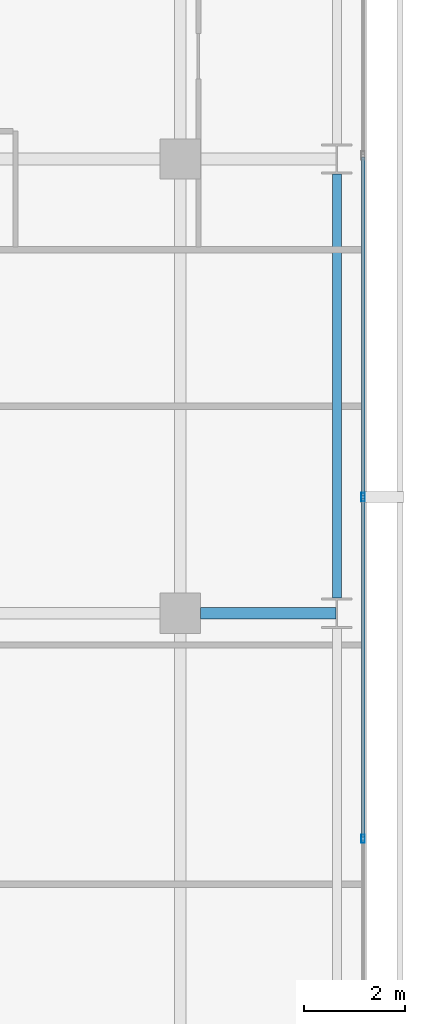
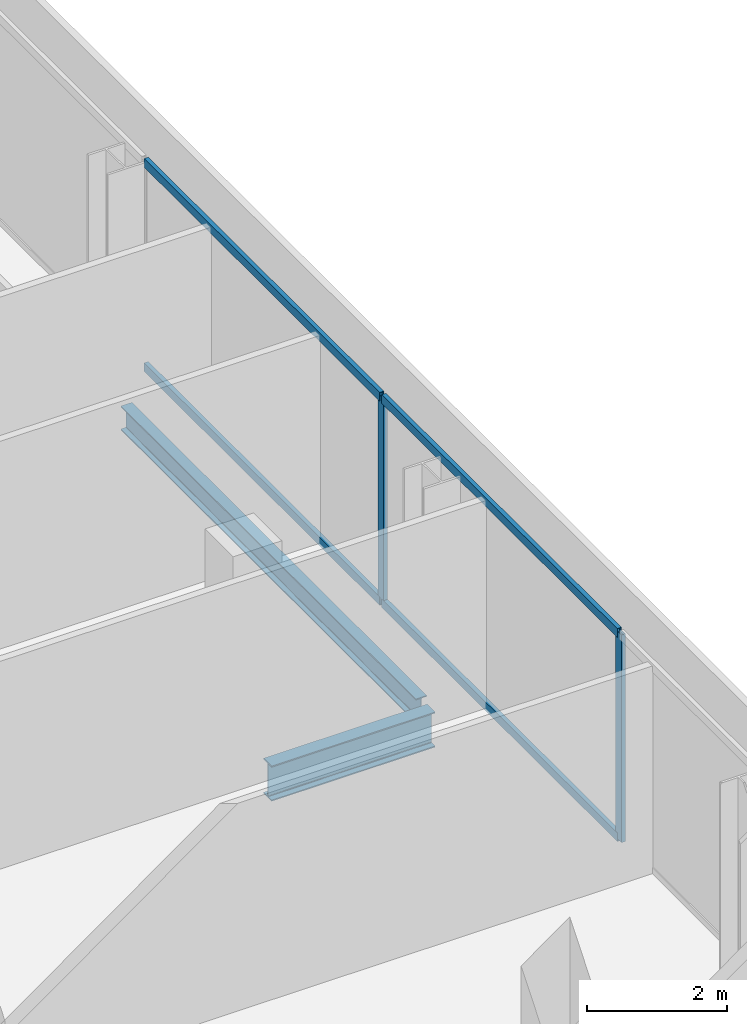
# One storey, part 17 of 34: 6 members, 2 beams, 1 element without a shape of its own.
"""IFC4 building model written with IfcOpenShell, lengths in metres."""

from ifc_helpers import new_model, si_unit, direction, frame, origin, origin_2d, place, context, subcontext, project, spatial, hollow_rectangle, i_section, extrude, material, layer, layer_set, material_profile, profile_set, type_object, element, aggregate, save


model = new_model("IFC4")

# Units and contexts
model_context = context("Model", 3, precision=1e-05, world=origin(), true_north=direction((0.0, 1.0)))
body_context = subcontext(model_context, "Body", "Model", "MODEL_VIEW")
ifc_project = project(units=[si_unit("LENGTHUNIT", "METRE"), si_unit("AREAUNIT", "SQUARE_METRE"), si_unit("VOLUMEUNIT", "CUBIC_METRE"), si_unit("PLANEANGLEUNIT", "RADIAN"), si_unit("MASSUNIT", "GRAM", prefix="KILO")], contexts=[model_context])

# Site, building, storey
site_placement = place(None, origin())
site = spatial("IfcSite", under=ifc_project, at=site_placement, CompositionType="ELEMENT")
building_placement = place(site_placement, origin())
building = spatial("IfcBuilding", under=site, at=building_placement, Name="Maruvema Waterfront Hotel and Observation Tower", CompositionType="ELEMENT")
storey_placement = place(building_placement, frame((0.0, 0.0, 146.64990234375)))
storey = spatial("IfcBuildingStorey", under=building, at=storey_placement, Name="L35", CompositionType="ELEMENT", Elevation=146.64990234375)

# Curtain wall, members
ifc_material_1 = material(Name="Anodised bronze aluminium and solar-control low-E IGU", Category="aluminium")
ifc_layer = layer(ifc_material_1, 0.159912109375, Name="Zone 2 Amber Inner Thermal Curtain Wall System CW-03")
ifc_layer_set = layer_set([ifc_layer], Name="Anodised bronze aluminium and solar-control low-E IGU")
curtain_wall_type = type_object("IfcCurtainWallType", Name="Zone 2 Amber Inner Thermal Curtain Wall System CW-03", PredefinedType="USERDEFINED", material=ifc_layer_set)
curtain_wall_placement = place(storey_placement, origin())
curtain_wall = element("IfcCurtainWall", 1, at=curtain_wall_placement, inside=storey, type_object=curtain_wall_type, Name="L35 Curtain Wall CW-L35-E", ObjectType="UNITISED CURTAIN WALL", PredefinedType="USERDEFINED")
ifc_material_2 = material(Name="Anodised architectural bronze aluminium", Category="aluminium")
ifc_material_profile_1 = material_profile(ifc_material_2, hollow_rectangle(XDim=0.070068359375, YDim=0.14990234375, WallThickness=0.00390625, at=origin_2d()), Name="ALU-T70x150")
ifc_profile_set_1 = profile_set([ifc_material_profile_1], Name="Anodised architectural bronze aluminium")
member_type_1 = type_object("IfcMemberType", Name="Curtain Wall Horizontal Transom ALU-T70x150", PredefinedType="USERDEFINED", material=ifc_profile_set_1)
member_1_placement = place(storey_placement, frame((62.419921875, 22.563232421875, 0.030029296875), z_axis=(0.0, 1.0, 0.0), x_axis=(-1.0, 0.0, 0.0)))
member_1 = element("IfcMember", 2, at=member_1_placement, type_object=member_type_1, Name="CW-03 transom 3.1", ObjectType="TRANSOM", PredefinedType="USERDEFINED", context=body_context, shape_type="SweptSolid", body=[
    extrude(hollow_rectangle(XDim=0.070068359375, YDim=0.14990234375, WallThickness=0.00390625, at=origin_2d()), origin(), (0.0, 0.0, 1.0), 6.706787109375),
])
member_2_placement = place(storey_placement, frame((62.419921875, 22.563232421875, 3.580078125), z_axis=(0.0, 1.0, 0.0), x_axis=(-1.0, 0.0, 0.0)))
member_2 = element("IfcMember", 3, at=member_2_placement, type_object=member_type_1, Name="CW-03 transom 3.2", ObjectType="TRANSOM", PredefinedType="USERDEFINED", context=body_context, shape_type="SweptSolid", body=[
    extrude(hollow_rectangle(XDim=0.070068359375, YDim=0.14990234375, WallThickness=0.00390625, at=origin_2d()), origin(), (0.0, 0.0, 1.0), 6.706787109375),
])
member_3_placement = place(storey_placement, frame((62.419921875, 29.330078125, 0.030029296875), z_axis=(0.0, 1.0, 0.0), x_axis=(-1.0, 0.0, 0.0)))
member_3 = element("IfcMember", 4, at=member_3_placement, type_object=member_type_1, Name="CW-03 transom 4.1", ObjectType="TRANSOM", PredefinedType="USERDEFINED", context=body_context, shape_type="SweptSolid", body=[
    extrude(hollow_rectangle(XDim=0.070068359375, YDim=0.14990234375, WallThickness=0.00390625, at=origin_2d()), origin(), (0.0, 0.0, 1.0), 6.70654296875),
])
member_4_placement = place(storey_placement, frame((62.419921875, 29.330078125, 3.580078125), z_axis=(0.0, 1.0, 0.0), x_axis=(-1.0, 0.0, 0.0)))
member_4 = element("IfcMember", 5, at=member_4_placement, type_object=member_type_1, Name="CW-03 transom 4.2", ObjectType="TRANSOM", PredefinedType="USERDEFINED", context=body_context, shape_type="SweptSolid", body=[
    extrude(hollow_rectangle(XDim=0.070068359375, YDim=0.14990234375, WallThickness=0.00390625, at=origin_2d()), origin(), (0.0, 0.0, 1.0), 6.70654296875),
])
ifc_material_3 = material(Name="Anodised architectural bronze aluminium", Category="aluminium")
ifc_material_profile_2 = material_profile(ifc_material_3, hollow_rectangle(XDim=0.06494140625, YDim=0.1650390625, WallThickness=0.00390625, at=origin_2d()), Name="ALU-M65x165")
ifc_profile_set_2 = profile_set([ifc_material_profile_2], Name="Anodised architectural bronze aluminium")
member_type_2 = type_object("IfcMemberType", Name="Curtain Wall Primary Mullion ALU-M65x165", PredefinedType="MULLION", material=ifc_profile_set_2)
member_5_placement = place(storey_placement, frame((62.419921875, 22.533447265625, 0.0), z_axis=(0.0, 0.0, 1.0), x_axis=(-1.0, 0.0, 0.0)))
member_5 = element("IfcMember", 6, at=member_5_placement, type_object=member_type_2, Name="CW-03 mullion 3", PredefinedType="MULLION", context=body_context, shape_type="SweptSolid", body=[
    extrude(hollow_rectangle(XDim=0.06494140625, YDim=0.1650390625, WallThickness=0.00390625, at=origin_2d()), origin(), (0.0, 0.0, 1.0), 3.610107421875),
])
member_6_placement = place(storey_placement, frame((62.419921875, 29.300048828125, 0.0), z_axis=(0.0, 0.0, 1.0), x_axis=(-1.0, 0.0, 0.0)))
member_6 = element("IfcMember", 7, at=member_6_placement, type_object=member_type_2, Name="CW-03 mullion 4", PredefinedType="MULLION", context=body_context, shape_type="SweptSolid", body=[
    extrude(hollow_rectangle(XDim=0.06494140625, YDim=0.1650390625, WallThickness=0.00390625, at=origin_2d()), origin(), (0.0, 0.0, 1.0), 3.610107421875),
])
aggregate(curtain_wall, [member_5, member_6, member_1, member_2, member_3, member_4])

# Beams
ifc_material_4 = material(Name="Steel ASTM A572 Grade 50", Category="steel")
ifc_material_profile_3 = material_profile(ifc_material_4, i_section(OverallWidth=0.180908203125, OverallDepth=0.4169921875, WebThickness=0.010986328125, FlangeThickness=0.018310546875, FilletRadius=0.014892578125, at=origin_2d()), Name="W410x85.0")
ifc_profile_set_3 = profile_set([ifc_material_profile_3], Name="Steel ASTM A572 Grade 50")
beam_type_1 = type_object("IfcBeamType", Name="Perimeter Spandrel Beam W410x85.0", PredefinedType="SPANDREL", material=ifc_profile_set_3)
beam_1_placement = place(storey_placement, frame((61.89990234375, 27.300048828125, -0.448486328125), z_axis=(0.0, 1.0, 0.0), x_axis=(-1.0, 0.0, 0.0)))
element("IfcBeam", 8, at=beam_1_placement, inside=storey, type_object=beam_type_1, Name="L35 Floor Girder NS-31", PredefinedType="SPANDREL", context=body_context, shape_type="SweptSolid", body=[
    extrude(i_section(OverallWidth=0.180908203125, OverallDepth=0.4169921875, WebThickness=0.010986328125, FlangeThickness=0.018310546875, FilletRadius=0.014892578125, at=origin_2d()), origin(), (0.0, 0.0, 1.0), 8.39990234375),
])
ifc_material_5 = material(Name="Steel ASTM A572 Grade 50", Category="steel")
ifc_material_profile_4 = material_profile(ifc_material_5, i_section(OverallWidth=0.22900390625, OverallDepth=0.612060546875, WebThickness=0.011962890625, FlangeThickness=0.01953125, FilletRadius=0.01806640625, at=origin_2d()), Name="W610x125.0")
ifc_profile_set_4 = profile_set([ifc_material_profile_4], Name="Steel ASTM A572 Grade 50")
beam_type_2 = type_object("IfcBeamType", Name="Primary Floor Girder W610x125.0", PredefinedType="BEAM", material=ifc_profile_set_4)
beam_2_placement = place(storey_placement, frame((59.199951171875, 27.0, -0.5458984375), z_axis=(1.0, 0.0, 0.0), x_axis=(0.0, 1.0, 0.0)))
element("IfcBeam", 9, at=beam_2_placement, inside=storey, type_object=beam_type_2, Name="L35 Floor Girder EW-22", PredefinedType="BEAM", context=body_context, shape_type="SweptSolid", body=[
    extrude(i_section(OverallWidth=0.22900390625, OverallDepth=0.612060546875, WebThickness=0.011962890625, FlangeThickness=0.01953125, FilletRadius=0.01806640625, at=origin_2d()), origin(), (0.0, 0.0, 1.0), 2.6875),
])

save(model, "model.ifc")
